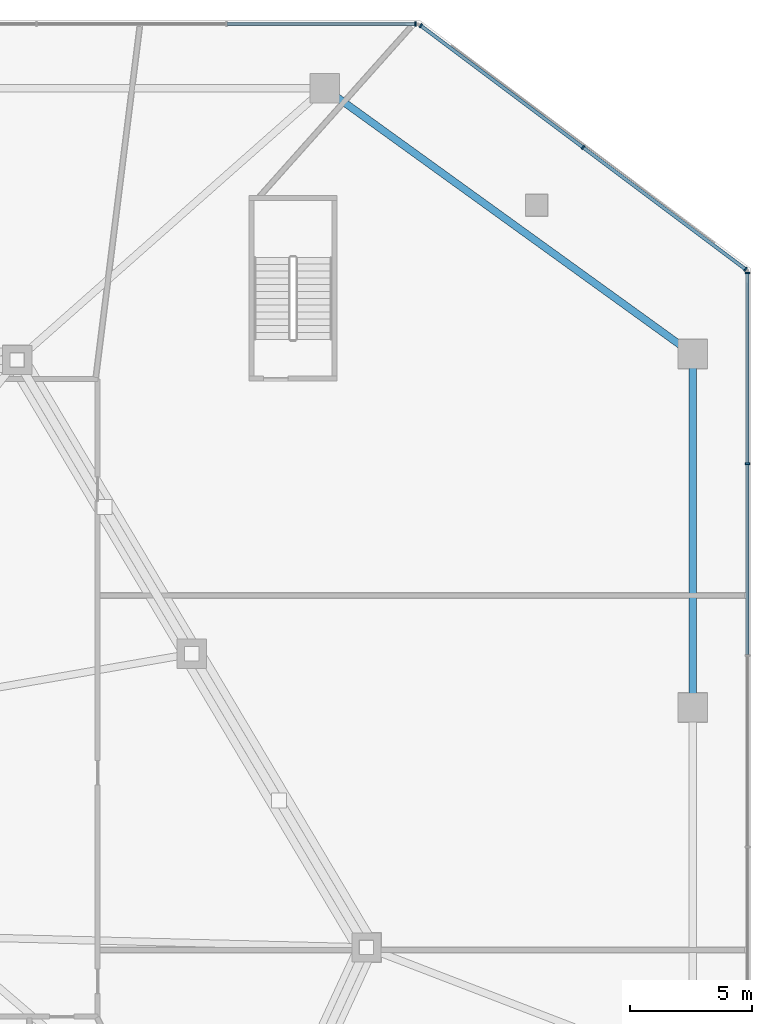
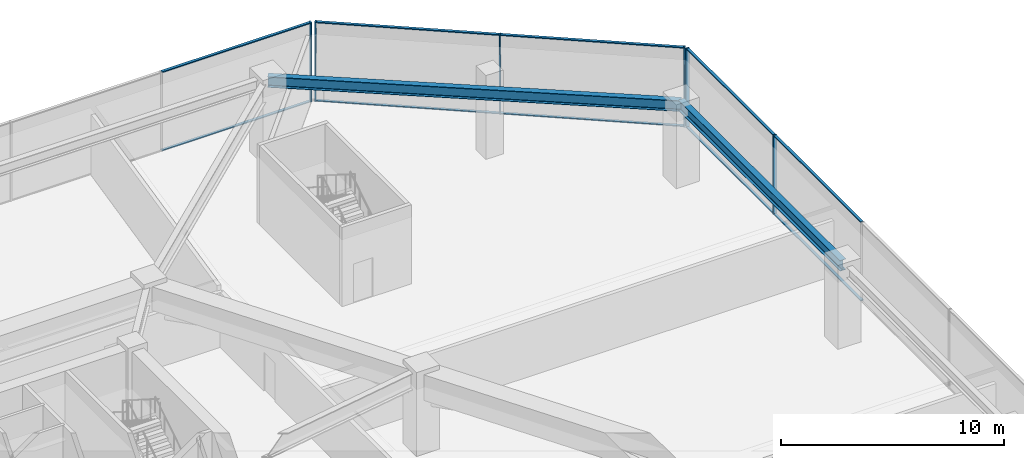
# One storey, part 12 of 23: 16 members, 2 beams, 3 elements without a shape of their own.
"""IFC4 building model written with IfcOpenShell, lengths in metres."""

from ifc_helpers import new_model, si_unit, direction, frame, origin, origin_2d, place, context, subcontext, project, spatial, rectangle, i_section, extrude, material, material_profile, profile_set, type_object, element, aggregate, save


model = new_model("IFC4")

# Units and contexts
model_context = context("Model", 3, precision=1e-05, world=origin(), true_north=direction((0.0, 1.0)))
body_context = subcontext(model_context, "Body", "Model", "MODEL_VIEW")
ifc_project = project(units=[si_unit("LENGTHUNIT", "METRE"), si_unit("AREAUNIT", "SQUARE_METRE"), si_unit("VOLUMEUNIT", "CUBIC_METRE"), si_unit("PLANEANGLEUNIT", "RADIAN"), si_unit("MASSUNIT", "GRAM", prefix="KILO")], contexts=[model_context])

# Site, building, storey
site_placement = place(None, origin())
site = spatial("IfcSite", under=ifc_project, at=site_placement, CompositionType="ELEMENT")
building_placement = place(site_placement, origin())
building = spatial("IfcBuilding", under=site, at=building_placement, Name="Savorim Split Tower", CompositionType="ELEMENT")
storey_placement = place(building_placement, frame((0.0, 0.0, 21.800048828125)))
storey = spatial("IfcBuildingStorey", under=building, at=storey_placement, Name="L05", CompositionType="ELEMENT", Elevation=21.800048828125)

# Beams
ifc_material_1 = material(Name="Steel S355", Category="steel")
ifc_material_profile_1 = material_profile(ifc_material_1, i_section(OverallWidth=0.300048828125, OverallDepth=0.590087890625, WebThickness=0.012939453125, FlangeThickness=0.02490234375, FilletRadius=0.027099609375, at=origin_2d()), Name="HEA 600")
ifc_profile_set_1 = profile_set([ifc_material_profile_1], Name="Steel S355")
beam_type = type_object("IfcBeamType", Name="BM-SPN-HEA600", PredefinedType="SPANDREL", material=ifc_profile_set_1)
beam_1_placement = place(storey_placement, frame((38.60009765625, 0.0, 4.054931640625), z_axis=(0.0, 1.0, 0.0), x_axis=(-1.0, 0.0, 0.0)))
element("IfcBeam", 1, at=beam_1_placement, inside=storey, type_object=beam_type, Name="L05 Podium Spandrel Beam 4", PredefinedType="SPANDREL", context=body_context, shape_type="SweptSolid", body=[
    extrude(i_section(OverallWidth=0.300048828125, OverallDepth=0.590087890625, WebThickness=0.012939453125, FlangeThickness=0.02490234375, FilletRadius=0.027099609375, at=origin_2d()), origin(), (0.0, 0.0, 1.0), 14.5),
])
beam_2_placement = place(storey_placement, frame((38.60009765625, 14.5, 4.054931640625), z_axis=(-0.810825083438, 0.585288547699, 0.0), x_axis=(-0.585288547699, -0.810825083438, 0.0)))
element("IfcBeam", 2, at=beam_2_placement, inside=storey, type_object=beam_type, Name="L05 Podium Spandrel Beam 5", PredefinedType="SPANDREL", context=body_context, shape_type="SweptSolid", body=[
    extrude(i_section(OverallWidth=0.300048828125, OverallDepth=0.590087890625, WebThickness=0.012939453125, FlangeThickness=0.02490234375, FilletRadius=0.027099609375, at=origin_2d()), origin(), (0.0, 0.0, 1.0), 18.623046875),
])

# Curtain wall, members
ifc_material_2 = material(Name="Dark Ceramic-Fritted Insulated Glass", Category="glass")
curtain_wall_type = type_object("IfcCurtainWallType", Name="CW-REFUGE-LVR", PredefinedType="NOTDEFINED", material=ifc_material_2)
curtain_wall_1_placement = place(storey_placement, origin())
curtain_wall_1 = element("IfcCurtainWall", 3, at=curtain_wall_1_placement, inside=storey, type_object=curtain_wall_type, Name="L05 Curtain Wall CW-L05-E06", PredefinedType="NOTDEFINED")
ifc_material_3 = material(Name="Charcoal Anodised Aluminium", Category="aluminium")
ifc_material_profile_2 = material_profile(ifc_material_3, rectangle(XDim=0.179931640625, YDim=0.06494140625, at=origin_2d()), Name="ALU-M 180x65")
ifc_profile_set_2 = profile_set([ifc_material_profile_2], Name="Charcoal Anodised Aluminium")
member_type_1 = type_object("IfcMemberType", Name="CWM-180x65", PredefinedType="MULLION", material=ifc_profile_set_2)
member_1_placement = place(storey_placement, frame((40.840087890625, 9.99609375, 0.0), z_axis=(0.0, 0.0, 1.0), x_axis=(-1.0, 0.0, 0.0)))
member_1 = element("IfcMember", 4, at=member_1_placement, type_object=member_type_1, Name="CW-06 mullion 5", PredefinedType="MULLION", context=body_context, shape_type="SweptSolid", body=[
    extrude(rectangle(XDim=0.179931640625, YDim=0.06494140625, at=origin_2d()), origin(), (0.0, 0.0, 1.0), 4.349853515625),
])
member_2_placement = place(storey_placement, frame((40.840087890625, 17.827392578125, 0.0), z_axis=(0.0, 0.0, 1.0), x_axis=(-1.0, 0.0, 0.0)))
member_2 = element("IfcMember", 5, at=member_2_placement, type_object=member_type_1, Name="CW-06 mullion 6", PredefinedType="MULLION", context=body_context, shape_type="SweptSolid", body=[
    extrude(rectangle(XDim=0.179931640625, YDim=0.06494140625, at=origin_2d()), origin(), (0.0, 0.0, 1.0), 4.349853515625),
])

curtain_wall_2_placement = place(storey_placement, origin())
curtain_wall_2 = element("IfcCurtainWall", 6, at=curtain_wall_2_placement, inside=storey, type_object=curtain_wall_type, Name="L05 Curtain Wall CW-L05-E07", PredefinedType="NOTDEFINED")
member_3_placement = place(storey_placement, frame((40.76611328125, 17.9755859375, 0.0), z_axis=(0.0, 0.0, 1.0), x_axis=(-0.600000000002, -0.799999999998, 0.0)))
member_3 = element("IfcMember", 7, at=member_3_placement, type_object=member_type_1, Name="CW-06 mullion 1", PredefinedType="MULLION", context=body_context, shape_type="SweptSolid", body=[
    extrude(rectangle(XDim=0.179931640625, YDim=0.06494140625, at=origin_2d()), origin(), (0.0, 0.0, 1.0), 4.349853515625),
])
member_4_placement = place(storey_placement, frame((34.10400390625, 22.971923828125, 0.0), z_axis=(0.0, 0.0, 1.0), x_axis=(-0.600000000002, -0.799999999998, 0.0)))
member_4 = element("IfcMember", 8, at=member_4_placement, type_object=member_type_1, Name="CW-06 mullion 2", PredefinedType="MULLION", context=body_context, shape_type="SweptSolid", body=[
    extrude(rectangle(XDim=0.179931640625, YDim=0.06494140625, at=origin_2d()), origin(), (0.0, 0.0, 1.0), 4.349853515625),
])
member_5_placement = place(storey_placement, frame((27.44189453125, 27.968505859375, 0.0), z_axis=(0.0, 0.0, 1.0), x_axis=(-0.600000000002, -0.799999999998, 0.0)))
member_5 = element("IfcMember", 9, at=member_5_placement, type_object=member_type_1, Name="CW-06 mullion 3", PredefinedType="MULLION", context=body_context, shape_type="SweptSolid", body=[
    extrude(rectangle(XDim=0.179931640625, YDim=0.06494140625, at=origin_2d()), origin(), (0.0, 0.0, 1.0), 4.349853515625),
])

# Curtain wall, member
curtain_wall_3_placement = place(storey_placement, origin())
curtain_wall_3 = element("IfcCurtainWall", 10, at=curtain_wall_3_placement, inside=storey, type_object=curtain_wall_type, Name="L05 Curtain Wall CW-L05-E08", PredefinedType="NOTDEFINED")
member_6_placement = place(storey_placement, frame((27.2275390625, 28.0400390625, 0.0), z_axis=(0.0, 0.0, 1.0), x_axis=(0.0, -1.0, 0.0)))
member_6 = element("IfcMember", 11, at=member_6_placement, type_object=member_type_1, Name="CW-06 mullion 1", PredefinedType="MULLION", context=body_context, shape_type="SweptSolid", body=[
    extrude(rectangle(XDim=0.179931640625, YDim=0.06494140625, at=origin_2d()), origin(), (0.0, 0.0, 1.0), 4.349853515625),
])

# Member
ifc_material_profile_3 = material_profile(ifc_material_3, rectangle(XDim=0.139892578125, YDim=0.054931640625, at=origin_2d()), Name="ALU-T 140x55")
ifc_profile_set_3 = profile_set([ifc_material_profile_3], Name="Charcoal Anodised Aluminium")
member_type_2 = type_object("IfcMemberType", Name="CWT-140x55", PredefinedType="USERDEFINED", material=ifc_profile_set_3)
member_7_placement = place(storey_placement, frame((40.840087890625, 2.16455078125, 0.02734375), z_axis=(0.0, 1.0, 0.0), x_axis=(-1.0, 0.0, 0.0)))
member_7 = element("IfcMember", 12, at=member_7_placement, type_object=member_type_2, Name="CW-06 transom 4.1", ObjectType="TRANSOM", PredefinedType="USERDEFINED", context=body_context, shape_type="SweptSolid", body=[
    extrude(rectangle(XDim=0.139892578125, YDim=0.054931640625, at=origin_2d()), origin(), (0.0, 0.0, 1.0), 7.798828125),
])

member_8_placement = place(storey_placement, frame((40.840087890625, 2.16455078125, 4.322509765625), z_axis=(0.0, 1.0, 0.0), x_axis=(-1.0, 0.0, 0.0)))
member_8 = element("IfcMember", 13, at=member_8_placement, type_object=member_type_2, Name="CW-06 transom 4.2", ObjectType="TRANSOM", PredefinedType="USERDEFINED", context=body_context, shape_type="SweptSolid", body=[
    extrude(rectangle(XDim=0.139892578125, YDim=0.054931640625, at=origin_2d()), origin(), (0.0, 0.0, 1.0), 7.798828125),
])

member_9_placement = place(storey_placement, frame((40.840087890625, 10.028564453125, 0.02734375), z_axis=(0.0, 1.0, 0.0), x_axis=(-1.0, 0.0, 0.0)))
member_9 = element("IfcMember", 14, at=member_9_placement, type_object=member_type_2, Name="CW-06 transom 5.1", ObjectType="TRANSOM", PredefinedType="USERDEFINED", context=body_context, shape_type="SweptSolid", body=[
    extrude(rectangle(XDim=0.139892578125, YDim=0.054931640625, at=origin_2d()), origin(), (0.0, 0.0, 1.0), 7.766357421875),
])

member_10_placement = place(storey_placement, frame((40.840087890625, 10.028564453125, 4.322509765625), z_axis=(0.0, 1.0, 0.0), x_axis=(-1.0, 0.0, 0.0)))
member_10 = element("IfcMember", 15, at=member_10_placement, type_object=member_type_2, Name="CW-06 transom 5.2", ObjectType="TRANSOM", PredefinedType="USERDEFINED", context=body_context, shape_type="SweptSolid", body=[
    extrude(rectangle(XDim=0.139892578125, YDim=0.054931640625, at=origin_2d()), origin(), (0.0, 0.0, 1.0), 7.766357421875),
])

aggregate(curtain_wall_1, [member_1, member_2, member_7, member_8, member_9, member_10])

member_11_placement = place(storey_placement, frame((40.739990234375, 17.9951171875, 0.02734375), z_axis=(-0.800017728575, 0.599976361172, 0.0), x_axis=(-0.599976361172, -0.800017728575, 0.0)))
member_11 = element("IfcMember", 16, at=member_11_placement, type_object=member_type_2, Name="CW-06 transom 1.1", ObjectType="TRANSOM", PredefinedType="USERDEFINED", context=body_context, shape_type="SweptSolid", body=[
    extrude(rectangle(XDim=0.139892578125, YDim=0.054931640625, at=origin_2d()), origin(), (0.0, 0.0, 1.0), 8.262451171875),
])

member_12_placement = place(storey_placement, frame((40.739990234375, 17.9951171875, 4.322509765625), z_axis=(-0.800017728575, 0.599976361172, 0.0), x_axis=(-0.599976361172, -0.800017728575, 0.0)))
member_12 = element("IfcMember", 17, at=member_12_placement, type_object=member_type_2, Name="CW-06 transom 1.2", ObjectType="TRANSOM", PredefinedType="USERDEFINED", context=body_context, shape_type="SweptSolid", body=[
    extrude(rectangle(XDim=0.139892578125, YDim=0.054931640625, at=origin_2d()), origin(), (0.0, 0.0, 1.0), 8.262451171875),
])

member_13_placement = place(storey_placement, frame((34.077880859375, 22.991455078125, 0.02734375), z_axis=(-0.799992908332, 0.60000945544, 0.0), x_axis=(-0.60000945544, -0.799992908332, 0.0)))
member_13 = element("IfcMember", 18, at=member_13_placement, type_object=member_type_2, Name="CW-06 transom 2.1", ObjectType="TRANSOM", PredefinedType="USERDEFINED", context=body_context, shape_type="SweptSolid", body=[
    extrude(rectangle(XDim=0.139892578125, YDim=0.054931640625, at=origin_2d()), origin(), (0.0, 0.0, 1.0), 8.262451171875),
])

member_14_placement = place(storey_placement, frame((34.077880859375, 22.991455078125, 4.322509765625), z_axis=(-0.799992908332, 0.60000945544, 0.0), x_axis=(-0.60000945544, -0.799992908332, 0.0)))
member_14 = element("IfcMember", 19, at=member_14_placement, type_object=member_type_2, Name="CW-06 transom 2.2", ObjectType="TRANSOM", PredefinedType="USERDEFINED", context=body_context, shape_type="SweptSolid", body=[
    extrude(rectangle(XDim=0.139892578125, YDim=0.054931640625, at=origin_2d()), origin(), (0.0, 0.0, 1.0), 8.262451171875),
])

aggregate(curtain_wall_2, [member_3, member_4, member_5, member_11, member_12, member_13, member_14])

member_15_placement = place(storey_placement, frame((27.195068359375, 28.0400390625, 0.02734375), z_axis=(-1.0, 0.0, 0.0), x_axis=(0.0, -1.0, 0.0)))
member_15 = element("IfcMember", 20, at=member_15_placement, type_object=member_type_2, Name="CW-06 transom 1.1", ObjectType="TRANSOM", PredefinedType="USERDEFINED", context=body_context, shape_type="SweptSolid", body=[
    extrude(rectangle(XDim=0.139892578125, YDim=0.054931640625, at=origin_2d()), origin(), (0.0, 0.0, 1.0), 7.691162109375),
])

member_16_placement = place(storey_placement, frame((27.195068359375, 28.0400390625, 4.322509765625), z_axis=(-1.0, 0.0, 0.0), x_axis=(0.0, -1.0, 0.0)))
member_16 = element("IfcMember", 21, at=member_16_placement, type_object=member_type_2, Name="CW-06 transom 1.2", ObjectType="TRANSOM", PredefinedType="USERDEFINED", context=body_context, shape_type="SweptSolid", body=[
    extrude(rectangle(XDim=0.139892578125, YDim=0.054931640625, at=origin_2d()), origin(), (0.0, 0.0, 1.0), 7.691162109375),
])

aggregate(curtain_wall_3, [member_6, member_15, member_16])

save(model, "model.ifc")
